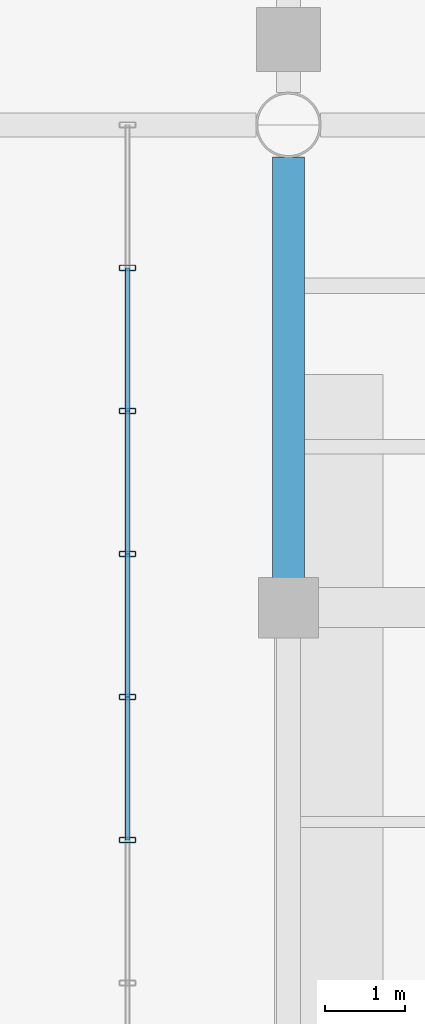
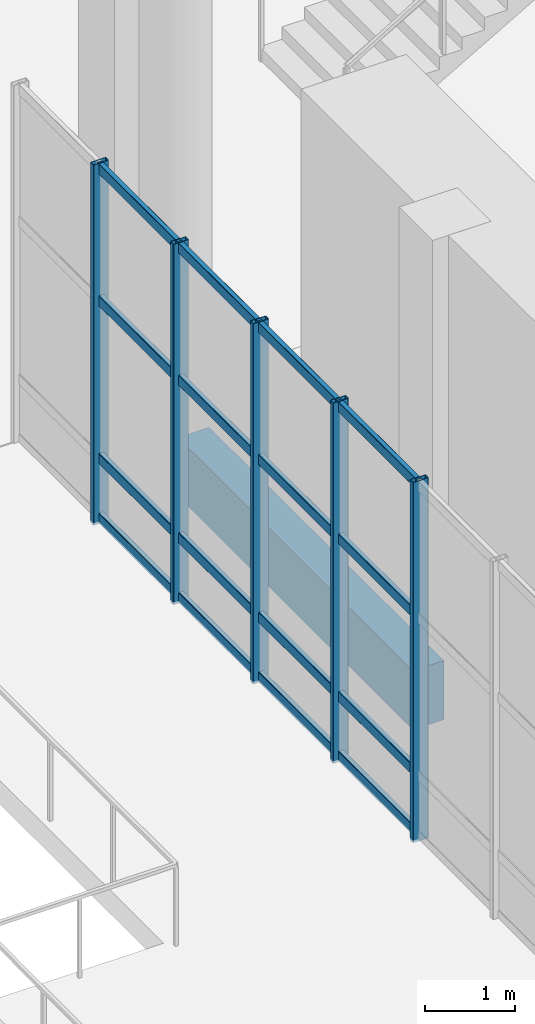
# One storey, part 63 of 163: 21 members, 1 beam, 1 element without a shape of its own.
"""IFC4 building model written with IfcOpenShell, lengths in metres."""

from ifc_helpers import new_model, si_unit, direction, frame, origin, origin_2d, place, context, subcontext, project, spatial, rectangle, hollow_rectangle, extrude, material, layer, layer_set, material_profile, profile_set, type_object, element, aggregate, save


model = new_model("IFC4")

# Units and contexts
model_context = context("Model", 3, precision=1e-05, world=origin(), true_north=direction((0.0, 1.0)))
body_context = subcontext(model_context, "Body", "Model", "MODEL_VIEW")
ifc_project = project(units=[si_unit("LENGTHUNIT", "METRE"), si_unit("AREAUNIT", "SQUARE_METRE"), si_unit("VOLUMEUNIT", "CUBIC_METRE"), si_unit("PLANEANGLEUNIT", "RADIAN"), si_unit("MASSUNIT", "GRAM", prefix="KILO")], contexts=[model_context])

# Site, building, storey
site_placement = place(None, origin())
site = spatial("IfcSite", under=ifc_project, at=site_placement, CompositionType="ELEMENT")
building_placement = place(site_placement, origin())
building = spatial("IfcBuilding", under=site, at=building_placement, Name="Khorjan Park Terminus", CompositionType="ELEMENT")
storey_placement = place(building_placement, origin())
storey = spatial("IfcBuildingStorey", under=building, at=storey_placement, Name="L00", CompositionType="ELEMENT", Elevation=0.0)

# Beam
ifc_material_1 = material(Name="Concrete C40/50", Category="concrete")
ifc_material_profile_1 = material_profile(ifc_material_1, rectangle(XDim=0.4, YDim=0.8, at=origin_2d()), Name="RC 400x800")
ifc_profile_set_1 = profile_set([ifc_material_profile_1], Name="Concrete C40/50")
beam_type = type_object("IfcBeamType", Name="BM-RC400x800", PredefinedType="BEAM", material=ifc_profile_set_1)
beam_placement = place(storey_placement, frame((56.0, 96.37, -0.76), z_axis=(0.0, 1.0, 0.0), x_axis=(-1.0, 0.0, 0.0)))
element("IfcBeam", 1, at=beam_placement, inside=storey, type_object=beam_type, Name="Primary floor girder GB-08B (L00)", PredefinedType="BEAM", context=body_context, shape_type="SweptSolid", body=[
    extrude(rectangle(XDim=0.4, YDim=0.8, at=origin_2d()), origin(), (0.0, 0.0, 1.0), 5.2285),
])

# Curtain wall, members
ifc_material_2 = material(Name="Anodized Bronze Aluminium", Category="aluminium")
ifc_layer = layer(ifc_material_2, 0.22)
ifc_layer_set = layer_set([ifc_layer], Name="Anodized Bronze Aluminium")
curtain_wall_type = type_object("IfcCurtainWallType", Name="CW-BRG-D", PredefinedType="NOTDEFINED", material=ifc_layer_set)
curtain_wall_placement = place(storey_placement, origin())
curtain_wall = element("IfcCurtainWall", 2, at=curtain_wall_placement, inside=storey, type_object=curtain_wall_type, Name="Unitized curtain wall CW-D (CW-NKW-W-L00)", PredefinedType="NOTDEFINED")
ifc_material_profile_2 = material_profile(ifc_material_2, hollow_rectangle(XDim=0.07, YDim=0.2, WallThickness=0.005, InnerFilletRadius=0.005, OuterFilletRadius=0.01, at=origin_2d()), Name="ALM 70x200x5")
ifc_profile_set_2 = profile_set([ifc_material_profile_2], Name="Anodized Bronze Aluminium")
member_type_1 = type_object("IfcMemberType", Name="ML-ALM-200", PredefinedType="MULLION", material=ifc_profile_set_2)
member_1_placement = place(storey_placement, frame((54.0, 100.2222, -0.035), z_axis=(0.0, 0.0, 1.0), x_axis=(0.0, -1.0, 0.0)))
member_1 = element("IfcMember", 3, at=member_1_placement, type_object=member_type_1, Name="Curtain-wall mullion ML-20 (CW-NKW-W-L00-1)", PredefinedType="MULLION", context=body_context, shape_type="SweptSolid", body=[
    extrude(hollow_rectangle(XDim=0.07, YDim=0.2, WallThickness=0.005, InnerFilletRadius=0.005, OuterFilletRadius=0.01, at=origin_2d()), origin(), (0.0, 0.0, 1.0), 4.895),
])
member_2_placement = place(storey_placement, frame((54.0, 98.4444, -0.035), z_axis=(0.0, 0.0, 1.0), x_axis=(0.0, -1.0, 0.0)))
member_2 = element("IfcMember", 4, at=member_2_placement, type_object=member_type_1, Name="Curtain-wall mullion ML-20 (CW-NKW-W-L00-2)", PredefinedType="MULLION", context=body_context, shape_type="SweptSolid", body=[
    extrude(hollow_rectangle(XDim=0.07, YDim=0.2, WallThickness=0.005, InnerFilletRadius=0.005, OuterFilletRadius=0.01, at=origin_2d()), origin(), (0.0, 0.0, 1.0), 4.895),
])
member_3_placement = place(storey_placement, frame((54.0, 96.6667, -0.035), z_axis=(0.0, 0.0, 1.0), x_axis=(0.0, -1.0, 0.0)))
member_3 = element("IfcMember", 5, at=member_3_placement, type_object=member_type_1, Name="Curtain-wall mullion ML-20 (CW-NKW-W-L00-3)", PredefinedType="MULLION", context=body_context, shape_type="SweptSolid", body=[
    extrude(hollow_rectangle(XDim=0.07, YDim=0.2, WallThickness=0.005, InnerFilletRadius=0.005, OuterFilletRadius=0.01, at=origin_2d()), origin(), (0.0, 0.0, 1.0), 4.895),
])
member_4_placement = place(storey_placement, frame((54.0, 94.8889, -0.035), z_axis=(0.0, 0.0, 1.0), x_axis=(0.0, -1.0, 0.0)))
member_4 = element("IfcMember", 6, at=member_4_placement, type_object=member_type_1, Name="Curtain-wall mullion ML-20 (CW-NKW-W-L00-4)", PredefinedType="MULLION", context=body_context, shape_type="SweptSolid", body=[
    extrude(hollow_rectangle(XDim=0.07, YDim=0.2, WallThickness=0.005, InnerFilletRadius=0.005, OuterFilletRadius=0.01, at=origin_2d()), origin(), (0.0, 0.0, 1.0), 4.895),
])
member_5_placement = place(storey_placement, frame((54.0, 93.1111, -0.035), z_axis=(0.0, 0.0, 1.0), x_axis=(0.0, -1.0, 0.0)))
member_5 = element("IfcMember", 7, at=member_5_placement, type_object=member_type_1, Name="Curtain-wall mullion ML-20 (CW-NKW-W-L00-5)", PredefinedType="MULLION", context=body_context, shape_type="SweptSolid", body=[
    extrude(hollow_rectangle(XDim=0.07, YDim=0.2, WallThickness=0.005, InnerFilletRadius=0.005, OuterFilletRadius=0.01, at=origin_2d()), origin(), (0.0, 0.0, 1.0), 4.895),
])
ifc_material_profile_3 = material_profile(ifc_material_2, hollow_rectangle(XDim=0.065, YDim=0.14, WallThickness=0.004, InnerFilletRadius=0.004, OuterFilletRadius=0.008, at=origin_2d()), Name="ALT 65x140x4")
ifc_profile_set_3 = profile_set([ifc_material_profile_3], Name="Anodized Bronze Aluminium")
member_type_2 = type_object("IfcMemberType", Name="TR-ALT-140", PredefinedType="USERDEFINED", material=ifc_profile_set_3)
member_6_placement = place(storey_placement, frame((54.0, 100.2222, 0.04), z_axis=(0.0, -1.0, 0.0), x_axis=(1.0, 0.0, 0.0)))
member_6 = element("IfcMember", 8, at=member_6_placement, type_object=member_type_2, Name="Curtain-wall transom TR-14 (CW-NKW-W-L00-1-1)", ObjectType="TRANSOM", PredefinedType="USERDEFINED", context=body_context, shape_type="SweptSolid", body=[
    extrude(hollow_rectangle(XDim=0.065, YDim=0.14, WallThickness=0.004, InnerFilletRadius=0.004, OuterFilletRadius=0.008, at=origin_2d()), origin(), (0.0, 0.0, 1.0), 1.7778),
])
member_7_placement = place(storey_placement, frame((54.0, 100.2222, 0.85), z_axis=(0.0, -1.0, 0.0), x_axis=(1.0, 0.0, 0.0)))
member_7 = element("IfcMember", 9, at=member_7_placement, type_object=member_type_2, Name="Curtain-wall transom TR-14 (CW-NKW-W-L00-1-2)", ObjectType="TRANSOM", PredefinedType="USERDEFINED", context=body_context, shape_type="SweptSolid", body=[
    extrude(hollow_rectangle(XDim=0.065, YDim=0.14, WallThickness=0.004, InnerFilletRadius=0.004, OuterFilletRadius=0.008, at=origin_2d()), origin(), (0.0, 0.0, 1.0), 1.7778),
])
member_8_placement = place(storey_placement, frame((54.0, 100.2222, 2.9915), z_axis=(0.0, -1.0, 0.0), x_axis=(1.0, 0.0, 0.0)))
member_8 = element("IfcMember", 10, at=member_8_placement, type_object=member_type_2, Name="Curtain-wall transom TR-14 (CW-NKW-W-L00-1-3)", ObjectType="TRANSOM", PredefinedType="USERDEFINED", context=body_context, shape_type="SweptSolid", body=[
    extrude(hollow_rectangle(XDim=0.065, YDim=0.14, WallThickness=0.004, InnerFilletRadius=0.004, OuterFilletRadius=0.008, at=origin_2d()), origin(), (0.0, 0.0, 1.0), 1.7778),
])
member_9_placement = place(storey_placement, frame((54.0, 100.2222, 4.785), z_axis=(0.0, -1.0, 0.0), x_axis=(1.0, 0.0, 0.0)))
member_9 = element("IfcMember", 11, at=member_9_placement, type_object=member_type_2, Name="Curtain-wall transom TR-14 (CW-NKW-W-L00-1-4)", ObjectType="TRANSOM", PredefinedType="USERDEFINED", context=body_context, shape_type="SweptSolid", body=[
    extrude(hollow_rectangle(XDim=0.065, YDim=0.14, WallThickness=0.004, InnerFilletRadius=0.004, OuterFilletRadius=0.008, at=origin_2d()), origin(), (0.0, 0.0, 1.0), 1.7778),
])
member_10_placement = place(storey_placement, frame((54.0, 98.4444, 0.04), z_axis=(0.0, -1.0, 0.0), x_axis=(1.0, 0.0, 0.0)))
member_10 = element("IfcMember", 12, at=member_10_placement, type_object=member_type_2, Name="Curtain-wall transom TR-14 (CW-NKW-W-L00-2-1)", ObjectType="TRANSOM", PredefinedType="USERDEFINED", context=body_context, shape_type="SweptSolid", body=[
    extrude(hollow_rectangle(XDim=0.065, YDim=0.14, WallThickness=0.004, InnerFilletRadius=0.004, OuterFilletRadius=0.008, at=origin_2d()), origin(), (0.0, 0.0, 1.0), 1.7777),
])
member_11_placement = place(storey_placement, frame((54.0, 98.4444, 0.85), z_axis=(0.0, -1.0, 0.0), x_axis=(1.0, 0.0, 0.0)))
member_11 = element("IfcMember", 13, at=member_11_placement, type_object=member_type_2, Name="Curtain-wall transom TR-14 (CW-NKW-W-L00-2-2)", ObjectType="TRANSOM", PredefinedType="USERDEFINED", context=body_context, shape_type="SweptSolid", body=[
    extrude(hollow_rectangle(XDim=0.065, YDim=0.14, WallThickness=0.004, InnerFilletRadius=0.004, OuterFilletRadius=0.008, at=origin_2d()), origin(), (0.0, 0.0, 1.0), 1.7777),
])
member_12_placement = place(storey_placement, frame((54.0, 98.4444, 2.9915), z_axis=(0.0, -1.0, 0.0), x_axis=(1.0, 0.0, 0.0)))
member_12 = element("IfcMember", 14, at=member_12_placement, type_object=member_type_2, Name="Curtain-wall transom TR-14 (CW-NKW-W-L00-2-3)", ObjectType="TRANSOM", PredefinedType="USERDEFINED", context=body_context, shape_type="SweptSolid", body=[
    extrude(hollow_rectangle(XDim=0.065, YDim=0.14, WallThickness=0.004, InnerFilletRadius=0.004, OuterFilletRadius=0.008, at=origin_2d()), origin(), (0.0, 0.0, 1.0), 1.7777),
])
member_13_placement = place(storey_placement, frame((54.0, 98.4444, 4.785), z_axis=(0.0, -1.0, 0.0), x_axis=(1.0, 0.0, 0.0)))
member_13 = element("IfcMember", 15, at=member_13_placement, type_object=member_type_2, Name="Curtain-wall transom TR-14 (CW-NKW-W-L00-2-4)", ObjectType="TRANSOM", PredefinedType="USERDEFINED", context=body_context, shape_type="SweptSolid", body=[
    extrude(hollow_rectangle(XDim=0.065, YDim=0.14, WallThickness=0.004, InnerFilletRadius=0.004, OuterFilletRadius=0.008, at=origin_2d()), origin(), (0.0, 0.0, 1.0), 1.7777),
])
member_14_placement = place(storey_placement, frame((54.0, 96.6667, 0.04), z_axis=(0.0, -1.0, 0.0), x_axis=(1.0, 0.0, 0.0)))
member_14 = element("IfcMember", 16, at=member_14_placement, type_object=member_type_2, Name="Curtain-wall transom TR-14 (CW-NKW-W-L00-3-1)", ObjectType="TRANSOM", PredefinedType="USERDEFINED", context=body_context, shape_type="SweptSolid", body=[
    extrude(hollow_rectangle(XDim=0.065, YDim=0.14, WallThickness=0.004, InnerFilletRadius=0.004, OuterFilletRadius=0.008, at=origin_2d()), origin(), (0.0, 0.0, 1.0), 1.7778),
])
member_15_placement = place(storey_placement, frame((54.0, 96.6667, 0.85), z_axis=(0.0, -1.0, 0.0), x_axis=(1.0, 0.0, 0.0)))
member_15 = element("IfcMember", 17, at=member_15_placement, type_object=member_type_2, Name="Curtain-wall transom TR-14 (CW-NKW-W-L00-3-2)", ObjectType="TRANSOM", PredefinedType="USERDEFINED", context=body_context, shape_type="SweptSolid", body=[
    extrude(hollow_rectangle(XDim=0.065, YDim=0.14, WallThickness=0.004, InnerFilletRadius=0.004, OuterFilletRadius=0.008, at=origin_2d()), origin(), (0.0, 0.0, 1.0), 1.7778),
])
member_16_placement = place(storey_placement, frame((54.0, 96.6667, 2.9915), z_axis=(0.0, -1.0, 0.0), x_axis=(1.0, 0.0, 0.0)))
member_16 = element("IfcMember", 18, at=member_16_placement, type_object=member_type_2, Name="Curtain-wall transom TR-14 (CW-NKW-W-L00-3-3)", ObjectType="TRANSOM", PredefinedType="USERDEFINED", context=body_context, shape_type="SweptSolid", body=[
    extrude(hollow_rectangle(XDim=0.065, YDim=0.14, WallThickness=0.004, InnerFilletRadius=0.004, OuterFilletRadius=0.008, at=origin_2d()), origin(), (0.0, 0.0, 1.0), 1.7778),
])
member_17_placement = place(storey_placement, frame((54.0, 96.6667, 4.785), z_axis=(0.0, -1.0, 0.0), x_axis=(1.0, 0.0, 0.0)))
member_17 = element("IfcMember", 19, at=member_17_placement, type_object=member_type_2, Name="Curtain-wall transom TR-14 (CW-NKW-W-L00-3-4)", ObjectType="TRANSOM", PredefinedType="USERDEFINED", context=body_context, shape_type="SweptSolid", body=[
    extrude(hollow_rectangle(XDim=0.065, YDim=0.14, WallThickness=0.004, InnerFilletRadius=0.004, OuterFilletRadius=0.008, at=origin_2d()), origin(), (0.0, 0.0, 1.0), 1.7778),
])
member_18_placement = place(storey_placement, frame((54.0, 94.8889, 0.04), z_axis=(0.0, -1.0, 0.0), x_axis=(1.0, 0.0, 0.0)))
member_18 = element("IfcMember", 20, at=member_18_placement, type_object=member_type_2, Name="Curtain-wall transom TR-14 (CW-NKW-W-L00-4-1)", ObjectType="TRANSOM", PredefinedType="USERDEFINED", context=body_context, shape_type="SweptSolid", body=[
    extrude(hollow_rectangle(XDim=0.065, YDim=0.14, WallThickness=0.004, InnerFilletRadius=0.004, OuterFilletRadius=0.008, at=origin_2d()), origin(), (0.0, 0.0, 1.0), 1.7778),
])
member_19_placement = place(storey_placement, frame((54.0, 94.8889, 0.85), z_axis=(0.0, -1.0, 0.0), x_axis=(1.0, 0.0, 0.0)))
member_19 = element("IfcMember", 21, at=member_19_placement, type_object=member_type_2, Name="Curtain-wall transom TR-14 (CW-NKW-W-L00-4-2)", ObjectType="TRANSOM", PredefinedType="USERDEFINED", context=body_context, shape_type="SweptSolid", body=[
    extrude(hollow_rectangle(XDim=0.065, YDim=0.14, WallThickness=0.004, InnerFilletRadius=0.004, OuterFilletRadius=0.008, at=origin_2d()), origin(), (0.0, 0.0, 1.0), 1.7778),
])
member_20_placement = place(storey_placement, frame((54.0, 94.8889, 2.9915), z_axis=(0.0, -1.0, 0.0), x_axis=(1.0, 0.0, 0.0)))
member_20 = element("IfcMember", 22, at=member_20_placement, type_object=member_type_2, Name="Curtain-wall transom TR-14 (CW-NKW-W-L00-4-3)", ObjectType="TRANSOM", PredefinedType="USERDEFINED", context=body_context, shape_type="SweptSolid", body=[
    extrude(hollow_rectangle(XDim=0.065, YDim=0.14, WallThickness=0.004, InnerFilletRadius=0.004, OuterFilletRadius=0.008, at=origin_2d()), origin(), (0.0, 0.0, 1.0), 1.7778),
])
member_21_placement = place(storey_placement, frame((54.0, 94.8889, 4.785), z_axis=(0.0, -1.0, 0.0), x_axis=(1.0, 0.0, 0.0)))
member_21 = element("IfcMember", 23, at=member_21_placement, type_object=member_type_2, Name="Curtain-wall transom TR-14 (CW-NKW-W-L00-4-4)", ObjectType="TRANSOM", PredefinedType="USERDEFINED", context=body_context, shape_type="SweptSolid", body=[
    extrude(hollow_rectangle(XDim=0.065, YDim=0.14, WallThickness=0.004, InnerFilletRadius=0.004, OuterFilletRadius=0.008, at=origin_2d()), origin(), (0.0, 0.0, 1.0), 1.7778),
])
aggregate(curtain_wall, [member_1, member_2, member_3, member_4, member_5, member_6, member_7, member_8, member_9, member_10, member_11, member_12, member_13, member_14, member_15, member_16, member_17, member_18, member_19, member_20, member_21])

save(model, "model.ifc")
